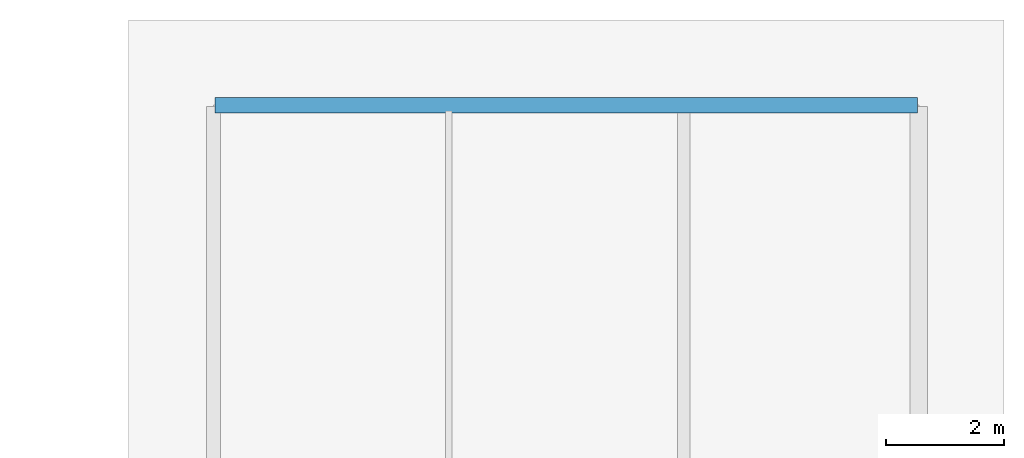
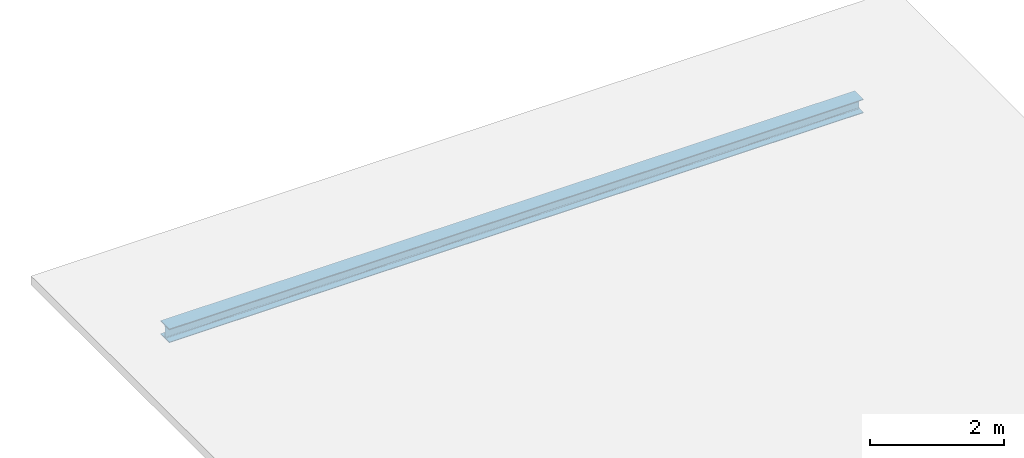
# One storey, part 180 of 237: 1 beam.
"""IFC4 building model written with IfcOpenShell, lengths in metres."""

import ifcopenshell
import ifcopenshell.guid

model = None  # the IFC model being written
_history = None  # IfcOwnerHistory: only IFC2X3 demands one
_inside = {}  # id of a spatial element -> (the spatial element, [elements in it])
_under = {}  # id of a project, library or spatial element -> (it, [spatial elements below it])
_declared = {}  # id of a project -> (the project, [libraries it declares])
_typed = {}  # id of a type object -> (the type object, [elements of that type])
_made_of = {}  # id of a material, layer set ... -> (it, [elements and type objects made of it])


def new_model(schema):
    """Start an empty IFC model of exactly this schema.

    Asked for "IFC4X3", IfcOpenShell would pick the latest addendum, in which some entities
    have other attributes; the version numbers below select the first issue.
    IFC2X3 requires an IfcOwnerHistory on every rooted entity: one is made here for all.
    """
    global model, _history
    if schema == "IFC4X3":
        model = ifcopenshell.file(schema_version=(4, 3, 0, 0))
    else:
        model = ifcopenshell.file(schema=schema)
    _inside.clear()
    _under.clear()
    _declared.clear()
    _typed.clear()
    _made_of.clear()
    _history = None
    if model.schema == "IFC2X3":
        org = make("IfcOrganization", Name="unknown")
        user = make(
            "IfcPersonAndOrganization",
            ThePerson=make("IfcPerson", FamilyName="unknown"),
            TheOrganization=org,
        )
        app = make(
            "IfcApplication",
            ApplicationDeveloper=org,
            Version="unknown",
            ApplicationFullName="unknown",
            ApplicationIdentifier="unknown",
        )
        _history = make(
            "IfcOwnerHistory",
            OwningUser=user,
            OwningApplication=app,
            ChangeAction="ADDED",
            CreationDate=0,
        )
    return model


def make(cls, **values):
    """One entity of the class cls with the attributes given. An attribute that is None is left unset."""
    return model.create_entity(
        cls, **{name: value for name, value in values.items() if value is not None}
    )


def rooted(cls, **values):
    """An entity with a GlobalId (a new one), such as an element, a storey or a relation."""
    return make(cls, GlobalId=ifcopenshell.guid.new(), OwnerHistory=_history, **values)


def si_unit(unit_type, name, prefix=None):
    """IfcSIUnit, for example si_unit("LENGTHUNIT", "METRE", prefix="MILLI")."""
    return make("IfcSIUnit", UnitType=unit_type, Prefix=prefix, Name=name)


def assignment(units):
    """IfcUnitAssignment: the units of a project."""
    return None if units is None else make("IfcUnitAssignment", Units=units)


def point(xyz):
    """IfcCartesianPoint."""
    return None if xyz is None else make("IfcCartesianPoint", Coordinates=xyz)


def direction(xyz):
    """IfcDirection."""
    return None if xyz is None else make("IfcDirection", DirectionRatios=xyz)


def frame(location, z_axis=None, x_axis=None):
    """IfcAxis2Placement3D, a coordinate frame: its origin and axes. An axis left out is left unset."""
    return make(
        "IfcAxis2Placement3D",
        Location=point(location),
        Axis=direction(z_axis),
        RefDirection=direction(x_axis),
    )


def frame_2d(location, x_axis=None):
    """IfcAxis2Placement2D, a coordinate frame in the plane: its origin and x axis."""
    return make(
        "IfcAxis2Placement2D", Location=point(location), RefDirection=direction(x_axis)
    )


def origin():
    """The frame at (0, 0, 0) with its axes left unset."""
    return frame((0.0, 0.0, 0.0))


def origin_2d():
    """The frame at (0, 0) in the plane with its x axis left unset."""
    return frame_2d((0.0, 0.0))


def place(relative_to, where):
    """IfcLocalPlacement: puts the frame where relative to a parent placement (None: the world)."""
    return make(
        "IfcLocalPlacement", PlacementRelTo=relative_to, RelativePlacement=where
    )


def context(
    kind, dimensions, precision=None, world=None, true_north=None, identifier=None
):
    """IfcGeometricRepresentationContext, for example the 3D "Model" context."""
    return make(
        "IfcGeometricRepresentationContext",
        ContextIdentifier=identifier,
        ContextType=kind,
        CoordinateSpaceDimension=dimensions,
        Precision=precision,
        WorldCoordinateSystem=world,
        TrueNorth=true_north,
    )


def subcontext(parent, identifier, kind, view, scale=None):
    """IfcGeometricRepresentationSubContext, for example "Body" below "Model"."""
    return make(
        "IfcGeometricRepresentationSubContext",
        ContextIdentifier=identifier,
        ContextType=kind,
        ParentContext=parent,
        TargetScale=scale,
        TargetView=view,
    )


def project(units=None, contexts=None):
    """IfcProject with its units and contexts."""
    return rooted(
        "IfcProject",
        Name="project",
        RepresentationContexts=contexts,
        UnitsInContext=assignment(units),
    )


def spatial(cls, under=None, at=None, **own):
    """A site, building, storey or space (cls), placed at a placement, below another one or the project."""
    s = rooted(cls, ObjectPlacement=at, **own)
    if under is not None:
        _under.setdefault(under.id(), (under, []))[1].append(s)
    return s


def profile(cls, at=None, kind="AREA", **sizes):
    """A parametric profile (cls). Its sizes go by their IFC names, for example OverallWidth=200.0."""
    return make(cls, ProfileType=kind, Position=at, **sizes)


def i_section(**sizes):
    """IfcIShapeProfileDef."""
    return profile("IfcIShapeProfileDef", **sizes)


def extrude(swept, where, along, depth):
    """IfcExtrudedAreaSolid: the profile swept, set in the frame where, extruded along a direction by depth."""
    return make(
        "IfcExtrudedAreaSolid",
        SweptArea=swept,
        Position=where,
        ExtrudedDirection=direction(along),
        Depth=depth,
    )


def shape(context_of_items, identifier, shape_type, items):
    """IfcShapeRepresentation: the items that make up one representation, for example the "Body"."""
    return make(
        "IfcShapeRepresentation",
        ContextOfItems=context_of_items,
        RepresentationIdentifier=identifier,
        RepresentationType=shape_type,
        Items=items,
    )


def material(Name=None, Category=None):
    """IfcMaterial."""
    return make("IfcMaterial", Name=Name, Category=Category)


def material_profile(
    of_material, cross_section, Name=None, Category=None, Priority=None
):
    """IfcMaterialProfile: a cross section and its material."""
    return make(
        "IfcMaterialProfile",
        Name=Name,
        Material=of_material,
        Profile=cross_section,
        Priority=Priority,
        Category=Category,
    )


def profile_set(profiles, Name=None, composite=None):
    """IfcMaterialProfileSet."""
    return make(
        "IfcMaterialProfileSet",
        Name=Name,
        MaterialProfiles=profiles,
        CompositeProfile=composite,
    )


def made_of(thing, what):
    """Note that an element or type object is made of a material, layer set ...; save() writes the relation."""
    if what is not None:
        _made_of.setdefault(what.id(), (what, []))[1].append(thing)
    return thing


def type_object(cls, material=None, **own):
    """A type object (cls), such as IfcWallType, which elements share."""
    return made_of(rooted(cls, **own), material)


def element(
    cls,
    number,
    at=None,
    inside=None,
    cuts=None,
    type_object=None,
    material=None,
    context=None,
    identifier="Body",
    shape_type=None,
    held_by="IfcProductDefinitionShape",
    body=None,
    shapes=None,
    **own,
):
    """One element of the class cls, such as IfcWall. Its Tag is "e" and its number.

    at: its placement. inside: the storey or other place that contains it. cuts: it is an
    opening in that element (IfcRelVoidsElement). A single representation is given by context,
    identifier, shape_type and body (its items); several are given by shapes. held_by: the class
    of the entity that holds the representations. save() writes the other relations.
    """
    e = rooted(cls, Tag="e%d" % number, ObjectPlacement=at, **own)
    if body is not None:
        shapes = [shape(context, identifier, shape_type, body)]
    if shapes is not None:
        e.Representation = make(held_by, Representations=shapes)
    if inside is not None:
        _inside.setdefault(inside.id(), (inside, []))[1].append(e)
    if cuts is not None:
        rooted(
            "IfcRelVoidsElement", RelatingBuildingElement=cuts, RelatedOpeningElement=e
        )
    if type_object is not None:
        _typed.setdefault(type_object.id(), (type_object, []))[1].append(e)
    return made_of(e, material)


def aggregate(whole, parts):
    """IfcRelAggregates: a whole, such as a stair, and the parts it consists of."""
    return rooted("IfcRelAggregates", RelatingObject=whole, RelatedObjects=parts)


def save(model, path):
    """Write the relations noted so far, then the file.

    IfcRelAggregates (storeys below a building ...), IfcRelContainedInSpatialStructure (elements
    in a storey), IfcRelDefinesByType, IfcRelAssociatesMaterial and IfcRelDeclares: one each for
    every whole, place, type object, material and project.
    """
    for whole, parts in _under.values():
        aggregate(whole, parts)
    for where, things in _inside.values():
        rooted(
            "IfcRelContainedInSpatialStructure",
            RelatedElements=things,
            RelatingStructure=where,
        )
    for kind, things in _typed.values():
        rooted("IfcRelDefinesByType", RelatedObjects=things, RelatingType=kind)
    for what, things in _made_of.values():
        rooted("IfcRelAssociatesMaterial", RelatedObjects=things, RelatingMaterial=what)
    for by, libraries in _declared.values():
        rooted("IfcRelDeclares", RelatingContext=by, RelatedDefinitions=libraries)
    model.write(path)


model = new_model("IFC4")

# Units and contexts
model_context = context("Model", 3, precision=1e-05, world=origin(), true_north=direction((0.0, 1.0)))
body_context = subcontext(model_context, "Body", "Model", "MODEL_VIEW")
ifc_project = project(units=[si_unit("LENGTHUNIT", "METRE"), si_unit("AREAUNIT", "SQUARE_METRE"), si_unit("VOLUMEUNIT", "CUBIC_METRE"), si_unit("PLANEANGLEUNIT", "RADIAN"), si_unit("MASSUNIT", "GRAM", prefix="KILO")], contexts=[model_context])

# Site, building, storey
site_placement = place(None, origin())
site = spatial("IfcSite", under=ifc_project, at=site_placement, CompositionType="ELEMENT")
building_placement = place(site_placement, origin())
building = spatial("IfcBuilding", under=site, at=building_placement, Name="Barlavento Convention Centre", CompositionType="ELEMENT")
storey_placement = place(building_placement, frame((0.0, 0.0, 12.0)))
storey = spatial("IfcBuildingStorey", under=building, at=storey_placement, Name="L02", CompositionType="ELEMENT", Elevation=12.0)

# Beam
ifc_material = material(Name="Steel S355", Category="steel")
ifc_material_profile = material_profile(ifc_material, i_section(OverallWidth=0.260009765625, OverallDepth=0.25, WebThickness=0.007568359375, FlangeThickness=0.012451171875, FilletRadius=0.02392578125, at=origin_2d()), Name="HEA 260")
ifc_profile_set = profile_set([ifc_material_profile], Name="Steel S355")
beam_type = type_object("IfcBeamType", Name="STR-BM-SPN-HEA260", PredefinedType="SPANDREL", material=ifc_profile_set)
beam_placement = place(storey_placement, frame((180.02001953125, 135.0, -0.489990234375), z_axis=(1.0, 0.0, 0.0), x_axis=(0.0, 1.0, 0.0)))
element("IfcBeam", 1, at=beam_placement, inside=storey, type_object=beam_type, Name="L02 primary girder SP04", PredefinedType="SPANDREL", context=body_context, shape_type="SweptSolid", body=[
    extrude(i_section(OverallWidth=0.260009765625, OverallDepth=0.25, WebThickness=0.007568359375, FlangeThickness=0.012451171875, FilletRadius=0.02392578125, at=origin_2d()), origin(), (0.0, 0.0, 1.0), 11.9599609375),
])

save(model, "model.ifc")
